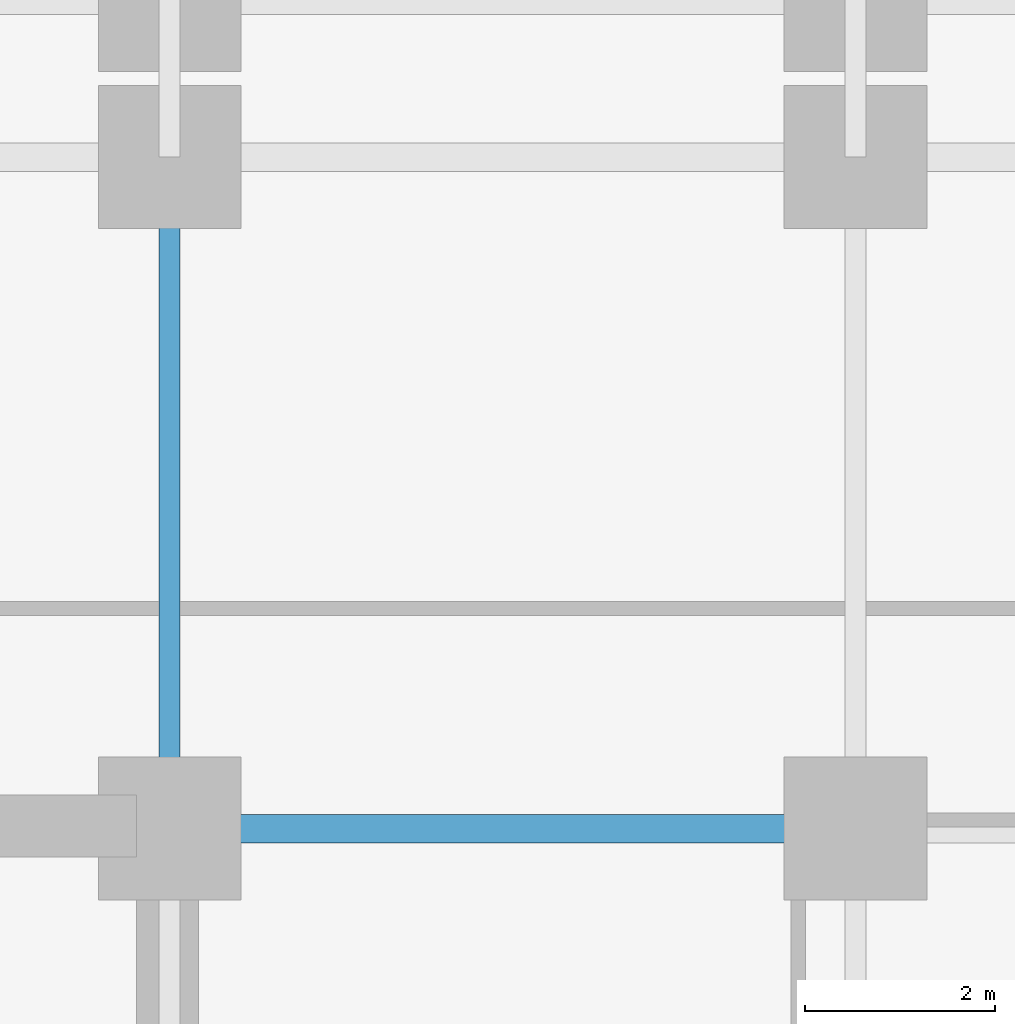
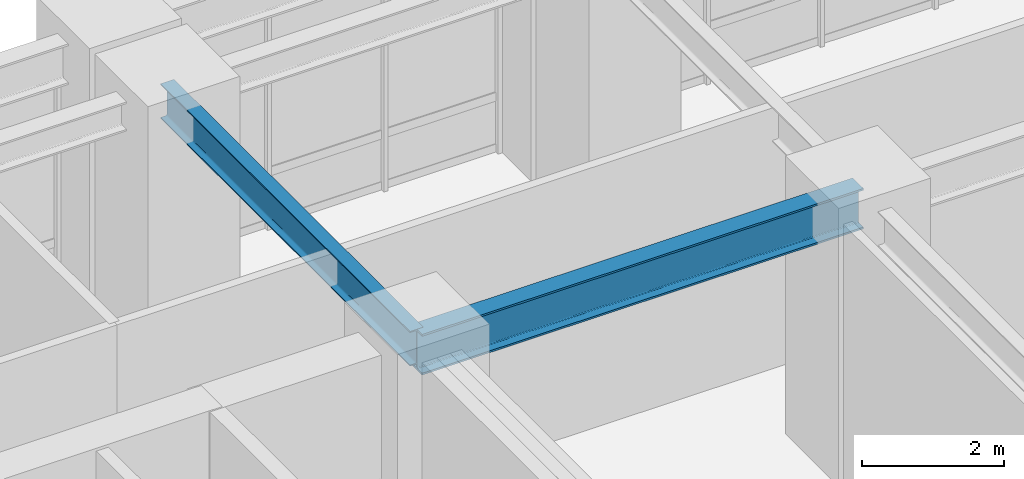
# One storey, part 5 of 22: 2 beams.
"""IFC4 building model written with IfcOpenShell, lengths in metres."""

from ifc_helpers import new_model, si_unit, direction, frame, origin, origin_2d, place, context, subcontext, project, spatial, i_section, extrude, source, transform, mapped, material, material_profile, profile_set, type_object, element, save


model = new_model("IFC4")

# Units and contexts
model_context = context("Model", 3, precision=1e-05, world=origin(), true_north=direction((0.0, 1.0)))
body_context = subcontext(model_context, "Body", "Model", "MODEL_VIEW")
ifc_project = project(units=[si_unit("LENGTHUNIT", "METRE"), si_unit("AREAUNIT", "SQUARE_METRE"), si_unit("VOLUMEUNIT", "CUBIC_METRE"), si_unit("PLANEANGLEUNIT", "RADIAN"), si_unit("MASSUNIT", "GRAM", prefix="KILO")], contexts=[model_context])

# Site, building, storey
site_placement = place(None, origin())
site = spatial("IfcSite", under=ifc_project, at=site_placement, CompositionType="ELEMENT")
building_placement = place(site_placement, origin())
building = spatial("IfcBuilding", under=site, at=building_placement, Name="Kaliganga Portal Commons", CompositionType="ELEMENT")
storey_placement = place(building_placement, frame((0.0, 0.0, 5.39990234375)))
storey = spatial("IfcBuildingStorey", under=building, at=storey_placement, Name="L01", CompositionType="ELEMENT", Elevation=5.39990234375)

# Beams
ifc_material = material(Name="Structural steel S355J2", Category="steel")
ifc_material_profile_1 = material_profile(ifc_material, i_section(OverallWidth=0.300048828125, OverallDepth=0.699951171875, WebThickness=0.01708984375, FlangeThickness=0.031982421875, FilletRadius=0.027099609375, at=origin_2d()), Name="HE 700 B")
ifc_profile_set_1 = profile_set([ifc_material_profile_1], Name="Structural steel S355J2 wide-flange")
beam_type_1 = type_object("IfcBeamType", Name="BM-GIRD-700", PredefinedType="USERDEFINED", material=ifc_profile_set_1)
shared_shape_1 = source(origin(), body_context, "Body", "SweptSolid", [
    extrude(i_section(OverallWidth=0.300048828125, OverallDepth=0.699951171875, WebThickness=0.01708984375, FlangeThickness=0.031982421875, FilletRadius=0.027099609375, at=origin_2d()), origin(), (0.0, 0.0, 1.0), 7.199951171875),
])
beam_1_placement = place(storey_placement, frame((28.800048828125, 36.14990234375, 4.170166015625), z_axis=(1.0, 0.0, 0.0), x_axis=(0.0, 1.0, 0.0)))
element("IfcBeam", 1, at=beam_1_placement, inside=storey, type_object=beam_type_1, Name="BM G L01 WAE_N 1", ObjectType="GIRDER", PredefinedType="USERDEFINED", context=body_context, shape_type="MappedRepresentation", body=[
    mapped(shared_shape_1, transform((0.0, 0.0, 0.0), x_axis=(1.0, 0.0, 0.0), y_axis=(0.0, 1.0, 0.0), z_axis=(0.0, 0.0, 1.0), scale=1.0)),
])
ifc_material_profile_2 = material_profile(ifc_material, i_section(OverallWidth=0.219970703125, OverallDepth=0.60009765625, WebThickness=0.011962890625, FlangeThickness=0.01904296875, FilletRadius=0.02392578125, at=origin_2d()), Name="IPE 600")
ifc_profile_set_2 = profile_set([ifc_material_profile_2], Name="Structural steel S355J2 wide-flange")
beam_type_2 = type_object("IfcBeamType", Name="BM-FLR-600", PredefinedType="BEAM", material=ifc_profile_set_2)
shared_shape_2 = source(origin(), body_context, "Body", "SweptSolid", [
    extrude(i_section(OverallWidth=0.219970703125, OverallDepth=0.60009765625, WebThickness=0.011962890625, FlangeThickness=0.01904296875, FilletRadius=0.02392578125, at=origin_2d()), origin(), (0.0, 0.0, 1.0), 7.050048828125),
])
beam_2_placement = place(storey_placement, frame((28.800048828125, 36.14990234375, 4.22021484375), z_axis=(0.0, 1.0, 0.0), x_axis=(-1.0, 0.0, 0.0)))
element("IfcBeam", 2, at=beam_2_placement, inside=storey, type_object=beam_type_2, Name="BM G L01 AN288", PredefinedType="BEAM", context=body_context, shape_type="MappedRepresentation", body=[
    mapped(shared_shape_2, transform((0.0, 0.0, 0.0), x_axis=(1.0, 0.0, 0.0), y_axis=(0.0, 1.0, 0.0), z_axis=(0.0, 0.0, 1.0), scale=1.0)),
])

save(model, "model.ifc")
